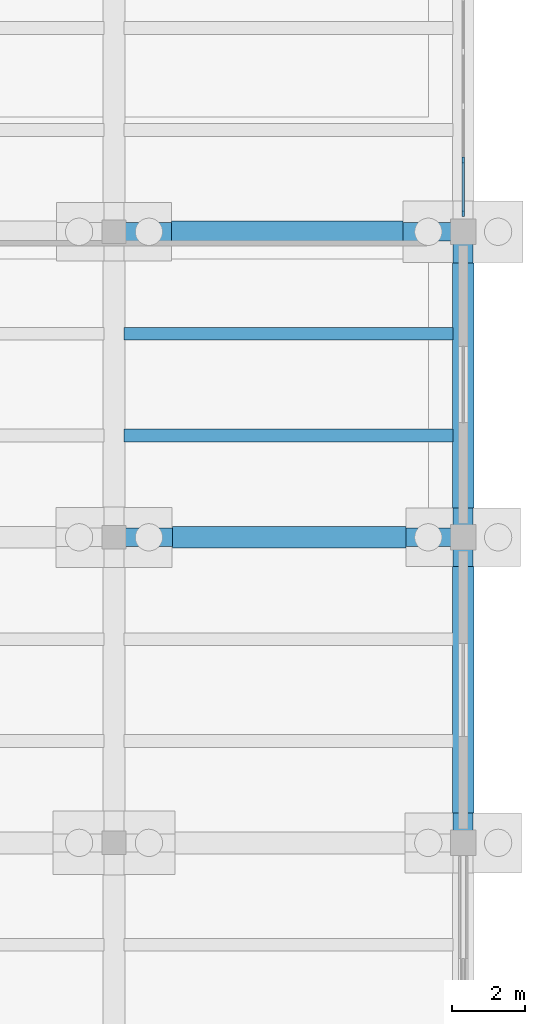
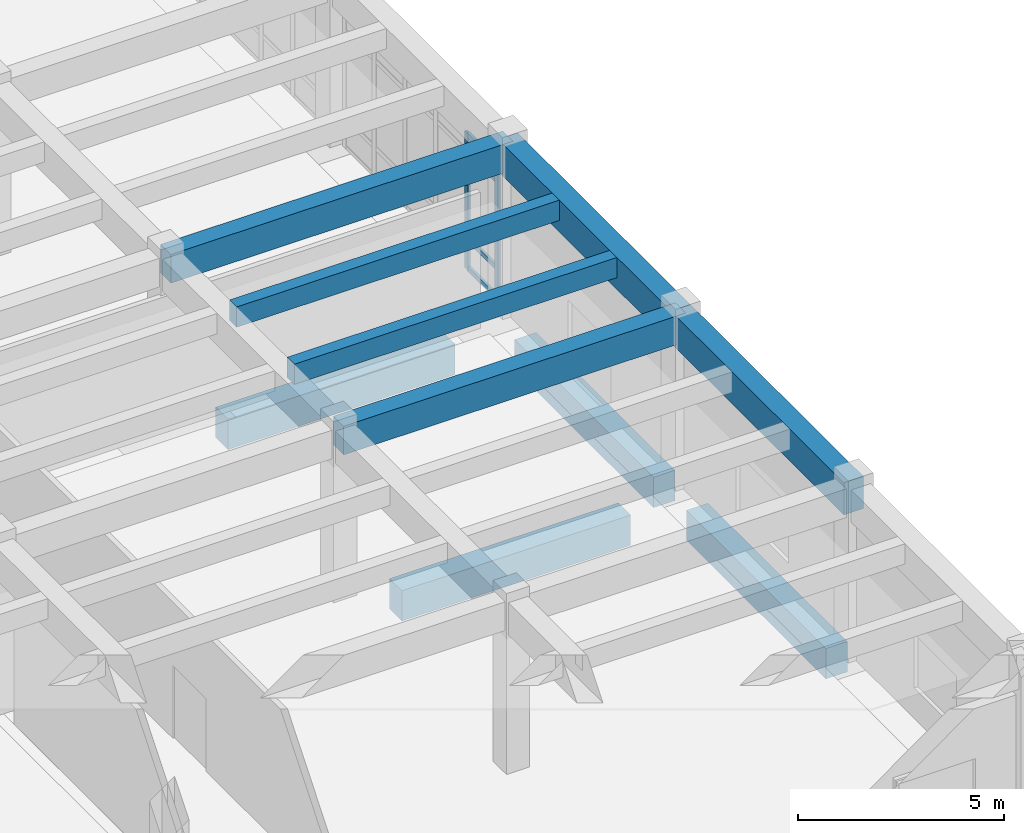
# One storey, part 43 of 102: 10 beams, 6 members, 1 element without a shape of its own.
"""IFC4 building model written with IfcOpenShell, lengths in metres."""

from ifc_helpers import new_model, si_unit, direction, frame, origin, origin_2d, place, context, subcontext, project, spatial, rectangle, extrude, material, layer, layer_set, material_profile, profile_set, type_object, element, aggregate, save


model = new_model("IFC4")

# Units and contexts
model_context = context("Model", 3, precision=1e-05, world=origin(), true_north=direction((0.0, 1.0)))
body_context = subcontext(model_context, "Body", "Model", "MODEL_VIEW")
ifc_project = project(units=[si_unit("LENGTHUNIT", "METRE"), si_unit("AREAUNIT", "SQUARE_METRE"), si_unit("VOLUMEUNIT", "CUBIC_METRE"), si_unit("PLANEANGLEUNIT", "RADIAN"), si_unit("MASSUNIT", "GRAM", prefix="KILO")], contexts=[model_context])

# Site, building, storey
site_placement = place(None, origin())
site = spatial("IfcSite", under=ifc_project, at=site_placement, CompositionType="ELEMENT")
building_placement = place(site_placement, origin())
building = spatial("IfcBuilding", under=site, at=building_placement, Name="Kolvemor Railside Polytechnic", CompositionType="ELEMENT")
storey_placement = place(building_placement, origin())
storey = spatial("IfcBuildingStorey", under=building, at=storey_placement, Name="L00", CompositionType="ELEMENT", Elevation=0.0)

# Beams
ifc_material_1 = material(Name="Concrete C40/50", Category="concrete")
ifc_material_profile_1 = material_profile(ifc_material_1, rectangle(XDim=0.550048828125, YDim=0.949951171875, at=origin_2d()), Name="RC550x950")
ifc_profile_set_1 = profile_set([ifc_material_profile_1], Name="Concrete C40/50")
beam_type_1 = type_object("IfcBeamType", Name="BM-RC-GIRD", PredefinedType="BEAM", material=ifc_profile_set_1)
beam_1_placement = place(storey_placement, frame((182.39990234375, 13.199951171875, 4.635009765625), z_axis=(0.0, 1.0, 0.0), x_axis=(-1.0, 0.0, 0.0)))
element("IfcBeam", 1, at=beam_1_placement, inside=storey, type_object=beam_type_1, Name="Primary Girder L01-GY 0415", PredefinedType="BEAM", context=body_context, shape_type="SweptSolid", body=[
    extrude(rectangle(XDim=0.550048828125, YDim=0.949951171875, at=origin_2d()), origin(), (0.0, 0.0, 1.0), 8.400146484375),
])
beam_2_placement = place(storey_placement, frame((182.39990234375, 21.60009765625, 4.635009765625), z_axis=(0.0, 1.0, 0.0), x_axis=(-1.0, 0.0, 0.0)))
element("IfcBeam", 2, at=beam_2_placement, inside=storey, type_object=beam_type_1, Name="Primary Girder L01-GY 0416", PredefinedType="BEAM", context=body_context, shape_type="SweptSolid", body=[
    extrude(rectangle(XDim=0.550048828125, YDim=0.949951171875, at=origin_2d()), origin(), (0.0, 0.0, 1.0), 8.39990234375),
])
ifc_material_2 = material(Name="Concrete C40/50", Category="concrete")
ifc_material_profile_2 = material_profile(ifc_material_2, rectangle(XDim=0.5, YDim=0.85009765625, at=origin_2d()), Name="RC500x850")
ifc_profile_set_2 = profile_set([ifc_material_profile_2], Name="Concrete C40/50")
beam_type_2 = type_object("IfcBeamType", Name="BM-RC-GIRD3", PredefinedType="BEAM", material=ifc_profile_set_2)
for number, where, z_axis, x_axis, name in (
    (3, (172.800048828125, 21.60009765625, 4.68505859375), (1.0, 0.0, 0.0), (0.0, 1.0, 0.0), "Primary Girder L01-GX 0349"),
    (4, (172.800048828125, 30.0, 4.68505859375), (1.0, 0.0, 0.0), (0.0, 1.0, 0.0), "Primary Girder L01-GX 0353"),
):
    element("IfcBeam", number, at=place(storey_placement, frame(where, z_axis=z_axis, x_axis=x_axis)), inside=storey, type_object=beam_type_2, Name=name, PredefinedType="BEAM", context=body_context, shape_type="SweptSolid", body=[
        extrude(rectangle(XDim=0.5, YDim=0.85009765625, at=origin_2d()), origin(), (0.0, 0.0, 1.0), 9.599853515625),
    ])
ifc_material_3 = material(Name="Concrete C40/50", Category="concrete")
ifc_material_profile_3 = material_profile(ifc_material_3, rectangle(XDim=0.35009765625, YDim=0.60009765625, at=origin_2d()), Name="RC350x600")
ifc_profile_set_3 = profile_set([ifc_material_profile_3], Name="Concrete C40/50")
beam_type_3 = type_object("IfcBeamType", Name="BM-RC-SEC3", PredefinedType="JOIST", material=ifc_profile_set_3)
for number, where, z_axis, x_axis, name in (
    (5, (173.074951171875, 24.39990234375, 4.81005859375), (1.0, 0.0, 0.0), (0.0, 1.0, 0.0), "Floor Joist L01-J0477"),
    (6, (173.074951171875, 27.199951171875, 4.81005859375), (1.0, 0.0, 0.0), (0.0, 1.0, 0.0), "Floor Joist L01-J0478"),
):
    element("IfcBeam", number, at=place(storey_placement, frame(where, z_axis=z_axis, x_axis=x_axis)), inside=storey, type_object=beam_type_3, Name=name, PredefinedType="JOIST", context=body_context, shape_type="SweptSolid", body=[
        extrude(rectangle(XDim=0.35009765625, YDim=0.60009765625, at=origin_2d()), origin(), (0.0, 0.0, 1.0), 9.050048828125),
    ])
ifc_material_4 = material(Name="Concrete C40/50", Category="concrete")
ifc_material_profile_4 = material_profile(ifc_material_4, rectangle(XDim=0.60009765625, YDim=0.89990234375, at=origin_2d()), Name="RC600x900")
ifc_profile_set_4 = profile_set([ifc_material_profile_4], Name="Concrete C40/50")
beam_type_4 = type_object("IfcBeamType", Name="BM-RC-TIE", PredefinedType="BEAM", material=ifc_profile_set_4)
beam_3_placement = place(storey_placement, frame((174.402099609375, 21.60009765625, -0.75), z_axis=(1.0, 0.0, 0.0), x_axis=(0.0, 1.0, 0.0)))
element("IfcBeam", 7, at=beam_3_placement, inside=storey, type_object=beam_type_4, Name="Ground Tie Beam GTB-X085", PredefinedType="BEAM", context=body_context, shape_type="SweptSolid", body=[
    extrude(rectangle(XDim=0.60009765625, YDim=0.89990234375, at=origin_2d()), origin(), (0.0, 0.0, 1.0), 6.4208984375),
])
beam_4_placement = place(storey_placement, frame((174.376953125, 30.0, -0.75), z_axis=(1.0, 0.0, 0.0), x_axis=(0.0, 1.0, 0.0)))
element("IfcBeam", 8, at=beam_4_placement, inside=storey, type_object=beam_type_4, Name="Ground Tie Beam GTB-X106", PredefinedType="BEAM", context=body_context, shape_type="SweptSolid", body=[
    extrude(rectangle(XDim=0.60009765625, YDim=0.89990234375, at=origin_2d()), origin(), (0.0, 0.0, 1.0), 6.37109375),
])
beam_5_placement = place(storey_placement, frame((182.39990234375, 14.027099609375, -0.75), z_axis=(0.0, 1.0, 0.0), x_axis=(-1.0, 0.0, 0.0)))
element("IfcBeam", 9, at=beam_5_placement, inside=storey, type_object=beam_type_4, Name="Ground Tie Beam GTB-Y440", PredefinedType="BEAM", context=body_context, shape_type="SweptSolid", body=[
    extrude(rectangle(XDim=0.60009765625, YDim=0.89990234375, at=origin_2d()), origin(), (0.0, 0.0, 1.0), 6.77099609375),
])
beam_6_placement = place(storey_placement, frame((182.39990234375, 22.402099609375, -0.75), z_axis=(0.0, 1.0, 0.0), x_axis=(-1.0, 0.0, 0.0)))
element("IfcBeam", 10, at=beam_6_placement, inside=storey, type_object=beam_type_4, Name="Ground Tie Beam GTB-Y441", PredefinedType="BEAM", context=body_context, shape_type="SweptSolid", body=[
    extrude(rectangle(XDim=0.60009765625, YDim=0.89990234375, at=origin_2d()), origin(), (0.0, 0.0, 1.0), 6.745849609375),
])

# Curtain wall, members
ifc_material_5 = material(Name="Anodised marine aluminium and laminated low-E glass", Category="aluminium")
ifc_layer = layer(ifc_material_5, 0.179931640625, Name="CW-UNIT-STD")
ifc_layer_set = layer_set([ifc_layer], Name="Anodised marine aluminium and laminated low-E glass")
curtain_wall_type = type_object("IfcCurtainWallType", Name="CW-UNIT-STD", PredefinedType="USERDEFINED", material=ifc_layer_set)
curtain_wall_placement = place(storey_placement, origin())
curtain_wall = element("IfcCurtainWall", 11, at=curtain_wall_placement, inside=storey, type_object=curtain_wall_type, Name="Curtain Wall L00-049", ObjectType="UNITISED CURTAIN WALL", PredefinedType="USERDEFINED")
ifc_material_6 = material(Name="Anodised marine aluminium 6063-T6", Category="aluminium")
ifc_material_profile_5 = material_profile(ifc_material_6, rectangle(XDim=0.074951171875, YDim=0.179931640625, at=origin_2d()), Name="CW-MUL-75x180")
ifc_profile_set_5 = profile_set([ifc_material_profile_5], Name="Anodised marine aluminium 6063-T6")
member_type_1 = type_object("IfcMemberType", Name="CWM-75x180", PredefinedType="MULLION", material=ifc_profile_set_5)
member_1_placement = place(storey_placement, frame((182.39990234375, 30.507568359375, 0.0), z_axis=(0.0, 0.0, 1.0), x_axis=(-1.0, 0.0, 0.0)))
member_1 = element("IfcMember", 12, at=member_1_placement, type_object=member_type_1, Name="CW-STD mullion 1", PredefinedType="MULLION", context=body_context, shape_type="SweptSolid", body=[
    extrude(rectangle(XDim=0.074951171875, YDim=0.179931640625, at=origin_2d()), origin(), (0.0, 0.0, 1.0), 4.0400390625),
])
member_2_placement = place(storey_placement, frame((182.39990234375, 31.9619140625, 0.0), z_axis=(0.0, 0.0, 1.0), x_axis=(-1.0, 0.0, 0.0)))
member_2 = element("IfcMember", 13, at=member_2_placement, type_object=member_type_1, Name="CW-STD mullion 2", PredefinedType="MULLION", context=body_context, shape_type="SweptSolid", body=[
    extrude(rectangle(XDim=0.074951171875, YDim=0.179931640625, at=origin_2d()), origin(), (0.0, 0.0, 1.0), 4.0400390625),
])
ifc_material_7 = material(Name="Anodised marine aluminium 6063-T6", Category="aluminium")
ifc_material_profile_6 = material_profile(ifc_material_7, rectangle(XDim=0.074951171875, YDim=0.139892578125, at=origin_2d()), Name="CW-TRN-75x140")
ifc_profile_set_6 = profile_set([ifc_material_profile_6], Name="Anodised marine aluminium 6063-T6")
member_type_2 = type_object("IfcMemberType", Name="CWT-75x140", PredefinedType="USERDEFINED", material=ifc_profile_set_6)
member_3_placement = place(storey_placement, frame((182.39990234375, 30.544921875, 0.03759765625), z_axis=(0.0, 1.0, 0.0), x_axis=(-1.0, 0.0, 0.0)))
member_3 = element("IfcMember", 14, at=member_3_placement, type_object=member_type_2, Name="CW-STD transom 1.1", ObjectType="TRANSOM", PredefinedType="USERDEFINED", context=body_context, shape_type="SweptSolid", body=[
    extrude(rectangle(XDim=0.074951171875, YDim=0.139892578125, at=origin_2d()), origin(), (0.0, 0.0, 1.0), 1.379638671875),
])
member_4_placement = place(storey_placement, frame((182.39990234375, 30.544921875, 0.89990234375), z_axis=(0.0, 1.0, 0.0), x_axis=(-1.0, 0.0, 0.0)))
member_4 = element("IfcMember", 15, at=member_4_placement, type_object=member_type_2, Name="CW-STD transom 1.2", ObjectType="TRANSOM", PredefinedType="USERDEFINED", context=body_context, shape_type="SweptSolid", body=[
    extrude(rectangle(XDim=0.074951171875, YDim=0.139892578125, at=origin_2d()), origin(), (0.0, 0.0, 1.0), 1.379638671875),
])
member_5_placement = place(storey_placement, frame((182.39990234375, 30.544921875, 3.489990234375), z_axis=(0.0, 1.0, 0.0), x_axis=(-1.0, 0.0, 0.0)))
member_5 = element("IfcMember", 16, at=member_5_placement, type_object=member_type_2, Name="CW-STD transom 1.3", ObjectType="TRANSOM", PredefinedType="USERDEFINED", context=body_context, shape_type="SweptSolid", body=[
    extrude(rectangle(XDim=0.074951171875, YDim=0.139892578125, at=origin_2d()), origin(), (0.0, 0.0, 1.0), 1.379638671875),
])
member_6_placement = place(storey_placement, frame((182.39990234375, 30.544921875, 4.00244140625), z_axis=(0.0, 1.0, 0.0), x_axis=(-1.0, 0.0, 0.0)))
member_6 = element("IfcMember", 17, at=member_6_placement, type_object=member_type_2, Name="CW-STD transom 1.4", ObjectType="TRANSOM", PredefinedType="USERDEFINED", context=body_context, shape_type="SweptSolid", body=[
    extrude(rectangle(XDim=0.074951171875, YDim=0.139892578125, at=origin_2d()), origin(), (0.0, 0.0, 1.0), 1.379638671875),
])
aggregate(curtain_wall, [member_1, member_2, member_3, member_4, member_5, member_6])

save(model, "model.ifc")
